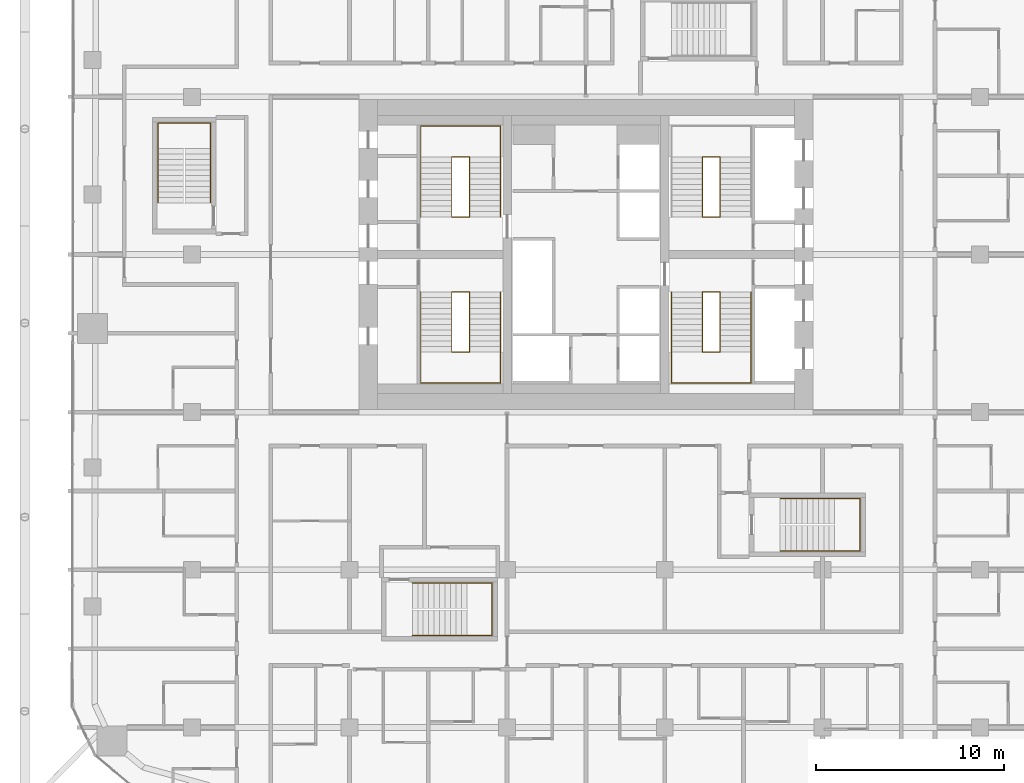
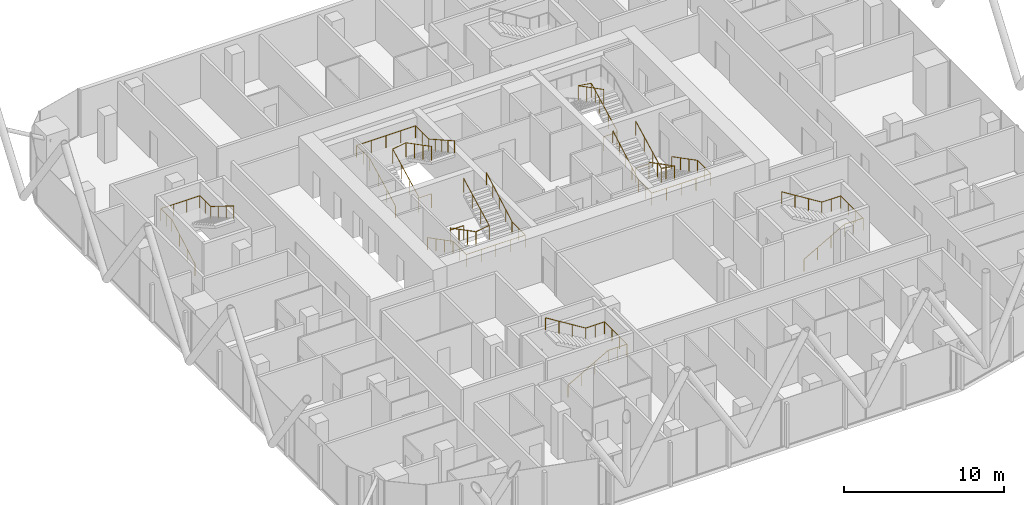
# One storey, part 32 of 33: 10 railings.
"""IFC4 building model written with IfcOpenShell, lengths in metres."""

from ifc_helpers import new_model, si_unit, direction, frame, origin, origin_2d, place, context, subcontext, project, spatial, circle, extrude, material, type_object, element, save


model = new_model("IFC4")

# Units and contexts
model_context = context("Model", 3, precision=1e-05, world=origin(), true_north=direction((0.0, 1.0)))
body_context = subcontext(model_context, "Body", "Model", "MODEL_VIEW")
ifc_project = project(units=[si_unit("LENGTHUNIT", "METRE"), si_unit("AREAUNIT", "SQUARE_METRE"), si_unit("VOLUMEUNIT", "CUBIC_METRE"), si_unit("PLANEANGLEUNIT", "RADIAN"), si_unit("MASSUNIT", "GRAM", prefix="KILO")], contexts=[model_context])

# Site, building, storey
site_placement = place(None, origin())
site = spatial("IfcSite", under=ifc_project, at=site_placement, CompositionType="ELEMENT")
building_placement = place(site_placement, origin())
building = spatial("IfcBuilding", under=site, at=building_placement, Name="Marenta Gate Hotel Tower", CompositionType="ELEMENT")
storey_placement = place(building_placement, frame((0.0, 0.0, 108.5)))
storey = spatial("IfcBuildingStorey", under=building, at=storey_placement, Name="L23", CompositionType="ELEMENT", Elevation=108.5)

# Railings
ifc_material_1 = material(Name="Stainless steel", Category="steel")
railing_type_1 = type_object("IfcRailingType", Name="Core stair handrail 950", PredefinedType="HANDRAIL", material=ifc_material_1)
railing_1_placement = place(storey_placement, frame((-8.800048828125, 6.39990234375, 0.14990234375)))
element("IfcRailing", 1, at=railing_1_placement, inside=storey, type_object=railing_type_1, Name="HR-950 L23-KR-ST1-1", PredefinedType="HANDRAIL", context=body_context, shape_type="SweptSolid", body=[
    extrude(circle(Radius=0.02392578125, at=origin_2d()), frame((0.0, 0.0, 0.92578125), z_axis=(0.0, -0.888197555067, 0.459461753765), x_axis=(1.0, 0.0, 0.0)), (0.0, 0.0, 1.0), 3.591552734375),
    extrude(circle(Radius=0.02392578125, at=origin_2d()), frame((0.0, -3.18994140625, 2.576171875), z_axis=(0.0, -1.0, 0.0), x_axis=(1.0, 0.0, 0.0)), (0.0, 0.0, 1.0), 1.659912109375),
    extrude(circle(Radius=0.02392578125, at=origin_2d()), frame((0.0, -4.849853515625, 2.576171875), z_axis=(1.0, 0.0, 0.0), x_axis=(0.0, 1.0, 0.0)), (0.0, 0.0, 1.0), 4.25),
    extrude(circle(Radius=0.02392578125, at=origin_2d()), frame((4.25, -4.849853515625, 2.576171875), z_axis=(0.0, 1.0, 0.0), x_axis=(-1.0, 0.0, 0.0)), (0.0, 0.0, 1.0), 1.659912109375),
    extrude(circle(Radius=0.02392578125, at=origin_2d()), frame((4.25, -3.18994140625, 2.576171875), z_axis=(0.0, 0.87090897868, 0.491444351738), x_axis=(-1.0, 0.0, 0.0)), (0.0, 0.0, 1.0), 3.662841796875),
    extrude(circle(Radius=0.02099609375, at=origin_2d()), origin(), (0.0, 0.0, 1.0), 0.90185546875),
    extrude(circle(Radius=0.02099609375, at=origin_2d()), frame((0.0, -1.063232421875, 0.550048828125)), (0.0, 0.0, 1.0), 0.90185546875),
    extrude(circle(Radius=0.02099609375, at=origin_2d()), frame((0.0, -2.126708984375, 1.10009765625)), (0.0, 0.0, 1.0), 0.90185546875),
    extrude(circle(Radius=0.02099609375, at=origin_2d()), frame((0.0, -3.18994140625, 1.650146484375)), (0.0, 0.0, 1.0), 0.90185546875),
    extrude(circle(Radius=0.02099609375, at=origin_2d()), frame((0.0, -4.02001953125, 1.650146484375)), (0.0, 0.0, 1.0), 0.90185546875),
    extrude(circle(Radius=0.02099609375, at=origin_2d()), frame((0.0, -4.849853515625, 1.650146484375)), (0.0, 0.0, 1.0), 0.90185546875),
    extrude(circle(Radius=0.02099609375, at=origin_2d()), frame((1.0625, -4.849853515625, 1.650146484375)), (0.0, 0.0, 1.0), 0.90185546875),
    extrude(circle(Radius=0.02099609375, at=origin_2d()), frame((2.125, -4.849853515625, 1.650146484375)), (0.0, 0.0, 1.0), 0.90185546875),
    extrude(circle(Radius=0.02099609375, at=origin_2d()), frame((3.1875, -4.849853515625, 1.650146484375)), (0.0, 0.0, 1.0), 0.90185546875),
    extrude(circle(Radius=0.02099609375, at=origin_2d()), frame((4.25, -4.849853515625, 1.650146484375)), (0.0, 0.0, 1.0), 0.90185546875),
    extrude(circle(Radius=0.02099609375, at=origin_2d()), frame((4.25, -4.02001953125, 1.650146484375)), (0.0, 0.0, 1.0), 0.90185546875),
    extrude(circle(Radius=0.02099609375, at=origin_2d()), frame((4.25, -3.18994140625, 1.650146484375)), (0.0, 0.0, 1.0), 0.90185546875),
    extrude(circle(Radius=0.02099609375, at=origin_2d()), frame((4.25, -2.392578125, 2.10009765625)), (0.0, 0.0, 1.0), 0.90185546875),
    extrude(circle(Radius=0.02099609375, at=origin_2d()), frame((4.25, -1.594970703125, 2.55029296875)), (0.0, 0.0, 1.0), 0.90185546875),
    extrude(circle(Radius=0.02099609375, at=origin_2d()), frame((4.25, -0.79736328125, 3.000244140625)), (0.0, 0.0, 1.0), 0.90185546875),
    extrude(circle(Radius=0.02099609375, at=origin_2d()), frame((4.25, 0.0, 3.4501953125)), (0.0, 0.0, 1.0), 0.90185546875),
])
railing_2_placement = place(storey_placement, frame((-8.800048828125, 10.39990234375, 0.14990234375)))
element("IfcRailing", 2, at=railing_2_placement, inside=storey, type_object=railing_type_1, Name="HR-950 L23-KR-ST2-1", PredefinedType="HANDRAIL", context=body_context, shape_type="SweptSolid", body=[
    extrude(circle(Radius=0.02392578125, at=origin_2d()), frame((0.0, 0.0, 0.92578125), z_axis=(0.0, 0.888211904222, 0.459434013977), x_axis=(-1.0, 0.0, 0.0)), (0.0, 0.0, 1.0), 3.591796875),
    extrude(circle(Radius=0.02392578125, at=origin_2d()), frame((0.0, 3.190185546875, 2.576171875), z_axis=(0.0, 1.0, 0.0), x_axis=(-1.0, 0.0, 0.0)), (0.0, 0.0, 1.0), 1.659912109375),
    extrude(circle(Radius=0.02392578125, at=origin_2d()), frame((0.0, 4.85009765625, 2.576171875), z_axis=(1.0, 0.0, 0.0), x_axis=(0.0, 1.0, 0.0)), (0.0, 0.0, 1.0), 4.25),
    extrude(circle(Radius=0.02392578125, at=origin_2d()), frame((4.25, 4.85009765625, 2.576171875), z_axis=(0.0, -1.0, 0.0), x_axis=(1.0, 0.0, 0.0)), (0.0, 0.0, 1.0), 1.659912109375),
    extrude(circle(Radius=0.02392578125, at=origin_2d()), frame((4.25, 3.190185546875, 2.576171875), z_axis=(0.0, -0.870925075533, 0.491415824742), x_axis=(1.0, 0.0, 0.0)), (0.0, 0.0, 1.0), 3.6630859375),
    extrude(circle(Radius=0.02099609375, at=origin_2d()), origin(), (0.0, 0.0, 1.0), 0.90185546875),
    extrude(circle(Radius=0.02099609375, at=origin_2d()), frame((0.0, 1.0634765625, 0.550048828125)), (0.0, 0.0, 1.0), 0.90185546875),
    extrude(circle(Radius=0.02099609375, at=origin_2d()), frame((0.0, 2.126708984375, 1.10009765625)), (0.0, 0.0, 1.0), 0.90185546875),
    extrude(circle(Radius=0.02099609375, at=origin_2d()), frame((0.0, 3.190185546875, 1.650146484375)), (0.0, 0.0, 1.0), 0.90185546875),
    extrude(circle(Radius=0.02099609375, at=origin_2d()), frame((0.0, 4.02001953125, 1.650146484375)), (0.0, 0.0, 1.0), 0.90185546875),
    extrude(circle(Radius=0.02099609375, at=origin_2d()), frame((0.0, 4.85009765625, 1.650146484375)), (0.0, 0.0, 1.0), 0.90185546875),
    extrude(circle(Radius=0.02099609375, at=origin_2d()), frame((1.0625, 4.85009765625, 1.650146484375)), (0.0, 0.0, 1.0), 0.90185546875),
    extrude(circle(Radius=0.02099609375, at=origin_2d()), frame((2.125, 4.85009765625, 1.650146484375)), (0.0, 0.0, 1.0), 0.90185546875),
    extrude(circle(Radius=0.02099609375, at=origin_2d()), frame((3.1875, 4.85009765625, 1.650146484375)), (0.0, 0.0, 1.0), 0.90185546875),
    extrude(circle(Radius=0.02099609375, at=origin_2d()), frame((4.25, 4.85009765625, 1.650146484375)), (0.0, 0.0, 1.0), 0.90185546875),
    extrude(circle(Radius=0.02099609375, at=origin_2d()), frame((4.25, 4.02001953125, 1.650146484375)), (0.0, 0.0, 1.0), 0.90185546875),
    extrude(circle(Radius=0.02099609375, at=origin_2d()), frame((4.25, 3.190185546875, 1.650146484375)), (0.0, 0.0, 1.0), 0.90185546875),
    extrude(circle(Radius=0.02099609375, at=origin_2d()), frame((4.25, 2.392578125, 2.10009765625)), (0.0, 0.0, 1.0), 0.90185546875),
    extrude(circle(Radius=0.02099609375, at=origin_2d()), frame((4.25, 1.59521484375, 2.55029296875)), (0.0, 0.0, 1.0), 0.90185546875),
    extrude(circle(Radius=0.02099609375, at=origin_2d()), frame((4.25, 0.797607421875, 3.000244140625)), (0.0, 0.0, 1.0), 0.90185546875),
    extrude(circle(Radius=0.02099609375, at=origin_2d()), frame((4.25, 0.0, 3.4501953125)), (0.0, 0.0, 1.0), 0.90185546875),
])
railing_3_placement = place(storey_placement, frame((8.800048828125, 6.39990234375, 0.14990234375)))
element("IfcRailing", 3, at=railing_3_placement, inside=storey, type_object=railing_type_1, Name="HR-950 L23-KR-ST3-1", PredefinedType="HANDRAIL", context=body_context, shape_type="SweptSolid", body=[
    extrude(circle(Radius=0.02392578125, at=origin_2d()), frame((0.0, 0.0, 0.92578125), z_axis=(0.0, -0.888197555067, 0.459461753765), x_axis=(1.0, 0.0, 0.0)), (0.0, 0.0, 1.0), 3.591552734375),
    extrude(circle(Radius=0.02392578125, at=origin_2d()), frame((0.0, -3.18994140625, 2.576171875), z_axis=(0.0, -1.0, 0.0), x_axis=(1.0, 0.0, 0.0)), (0.0, 0.0, 1.0), 1.659912109375),
    extrude(circle(Radius=0.02392578125, at=origin_2d()), frame((0.0, -4.849853515625, 2.576171875), z_axis=(-1.0, 0.0, 0.0), x_axis=(0.0, -1.0, 0.0)), (0.0, 0.0, 1.0), 4.25),
    extrude(circle(Radius=0.02392578125, at=origin_2d()), frame((-4.25, -4.849853515625, 2.576171875), z_axis=(0.0, 1.0, 0.0), x_axis=(-1.0, 0.0, 0.0)), (0.0, 0.0, 1.0), 1.659912109375),
    extrude(circle(Radius=0.02392578125, at=origin_2d()), frame((-4.25, -3.18994140625, 2.576171875), z_axis=(0.0, 0.87090897868, 0.491444351738), x_axis=(-1.0, 0.0, 0.0)), (0.0, 0.0, 1.0), 3.662841796875),
    extrude(circle(Radius=0.02099609375, at=origin_2d()), origin(), (0.0, 0.0, 1.0), 0.90185546875),
    extrude(circle(Radius=0.02099609375, at=origin_2d()), frame((0.0, -1.063232421875, 0.550048828125)), (0.0, 0.0, 1.0), 0.90185546875),
    extrude(circle(Radius=0.02099609375, at=origin_2d()), frame((0.0, -2.126708984375, 1.10009765625)), (0.0, 0.0, 1.0), 0.90185546875),
    extrude(circle(Radius=0.02099609375, at=origin_2d()), frame((0.0, -3.18994140625, 1.650146484375)), (0.0, 0.0, 1.0), 0.90185546875),
    extrude(circle(Radius=0.02099609375, at=origin_2d()), frame((0.0, -4.02001953125, 1.650146484375)), (0.0, 0.0, 1.0), 0.90185546875),
    extrude(circle(Radius=0.02099609375, at=origin_2d()), frame((0.0, -4.849853515625, 1.650146484375)), (0.0, 0.0, 1.0), 0.90185546875),
    extrude(circle(Radius=0.02099609375, at=origin_2d()), frame((-1.0625, -4.849853515625, 1.650146484375)), (0.0, 0.0, 1.0), 0.90185546875),
    extrude(circle(Radius=0.02099609375, at=origin_2d()), frame((-2.125, -4.849853515625, 1.650146484375)), (0.0, 0.0, 1.0), 0.90185546875),
    extrude(circle(Radius=0.02099609375, at=origin_2d()), frame((-3.1875, -4.849853515625, 1.650146484375)), (0.0, 0.0, 1.0), 0.90185546875),
    extrude(circle(Radius=0.02099609375, at=origin_2d()), frame((-4.25, -4.849853515625, 1.650146484375)), (0.0, 0.0, 1.0), 0.90185546875),
    extrude(circle(Radius=0.02099609375, at=origin_2d()), frame((-4.25, -4.02001953125, 1.650146484375)), (0.0, 0.0, 1.0), 0.90185546875),
    extrude(circle(Radius=0.02099609375, at=origin_2d()), frame((-4.25, -3.18994140625, 1.650146484375)), (0.0, 0.0, 1.0), 0.90185546875),
    extrude(circle(Radius=0.02099609375, at=origin_2d()), frame((-4.25, -2.392578125, 2.10009765625)), (0.0, 0.0, 1.0), 0.90185546875),
    extrude(circle(Radius=0.02099609375, at=origin_2d()), frame((-4.25, -1.594970703125, 2.55029296875)), (0.0, 0.0, 1.0), 0.90185546875),
    extrude(circle(Radius=0.02099609375, at=origin_2d()), frame((-4.25, -0.79736328125, 3.000244140625)), (0.0, 0.0, 1.0), 0.90185546875),
    extrude(circle(Radius=0.02099609375, at=origin_2d()), frame((-4.25, 0.0, 3.4501953125)), (0.0, 0.0, 1.0), 0.90185546875),
])
railing_4_placement = place(storey_placement, frame((-22.800048828125, 11.14990234375, 0.16357421875)))
element("IfcRailing", 4, at=railing_4_placement, inside=storey, type_object=railing_type_1, Name="HR-950 L23-RS-Z1-3-KR-1", PredefinedType="HANDRAIL", context=body_context, shape_type="SweptSolid", body=[
    extrude(circle(Radius=0.02392578125, at=origin_2d()), frame((0.0, 0.0, 0.92578125), z_axis=(0.0, 0.870914908162, 0.491433843708), x_axis=(-1.0, 0.0, 0.0)), (0.0, 0.0, 1.0), 3.330078125),
    extrude(circle(Radius=0.02392578125, at=origin_2d()), frame((0.0, 2.900146484375, 2.5625), z_axis=(0.0, 1.0, 0.0), x_axis=(-1.0, 0.0, 0.0)), (0.0, 0.0, 1.0), 1.349853515625),
    extrude(circle(Radius=0.02392578125, at=origin_2d()), frame((0.0, 4.25, 2.5625), z_axis=(1.0, 0.0, 0.0), x_axis=(0.0, 1.0, 0.0)), (0.0, 0.0, 1.0), 2.800048828125),
    extrude(circle(Radius=0.02392578125, at=origin_2d()), frame((2.800048828125, 4.25, 2.5625), z_axis=(0.0, -1.0, 0.0), x_axis=(1.0, 0.0, 0.0)), (0.0, 0.0, 1.0), 1.349853515625),
    extrude(circle(Radius=0.02392578125, at=origin_2d()), frame((2.800048828125, 2.900146484375, 2.5625), z_axis=(0.0, -0.849645691689, 0.527353959494), x_axis=(1.0, 0.0, 0.0)), (0.0, 0.0, 1.0), 3.413330078125),
    extrude(circle(Radius=0.02099609375, at=origin_2d()), origin(), (0.0, 0.0, 1.0), 0.90185546875),
    extrude(circle(Radius=0.02099609375, at=origin_2d()), frame((0.0, 0.966796875, 0.54541015625)), (0.0, 0.0, 1.0), 0.90185546875),
    extrude(circle(Radius=0.02099609375, at=origin_2d()), frame((0.0, 1.933349609375, 1.091064453125)), (0.0, 0.0, 1.0), 0.90185546875),
    extrude(circle(Radius=0.02099609375, at=origin_2d()), frame((0.0, 2.900146484375, 1.636474609375)), (0.0, 0.0, 1.0), 0.90185546875),
    extrude(circle(Radius=0.02099609375, at=origin_2d()), frame((0.0, 3.5751953125, 1.636474609375)), (0.0, 0.0, 1.0), 0.90185546875),
    extrude(circle(Radius=0.02099609375, at=origin_2d()), frame((0.0, 4.25, 1.636474609375)), (0.0, 0.0, 1.0), 0.90185546875),
    extrude(circle(Radius=0.02099609375, at=origin_2d()), frame((0.933349609375, 4.25, 1.636474609375)), (0.0, 0.0, 1.0), 0.90185546875),
    extrude(circle(Radius=0.02099609375, at=origin_2d()), frame((1.86669921875, 4.25, 1.636474609375)), (0.0, 0.0, 1.0), 0.90185546875),
    extrude(circle(Radius=0.02099609375, at=origin_2d()), frame((2.800048828125, 4.25, 1.636474609375)), (0.0, 0.0, 1.0), 0.90185546875),
    extrude(circle(Radius=0.02099609375, at=origin_2d()), frame((2.800048828125, 3.5751953125, 1.636474609375)), (0.0, 0.0, 1.0), 0.90185546875),
    extrude(circle(Radius=0.02099609375, at=origin_2d()), frame((2.800048828125, 2.900146484375, 1.636474609375)), (0.0, 0.0, 1.0), 0.90185546875),
    extrude(circle(Radius=0.02099609375, at=origin_2d()), frame((2.800048828125, 1.933349609375, 2.236572265625)), (0.0, 0.0, 1.0), 0.90185546875),
    extrude(circle(Radius=0.02099609375, at=origin_2d()), frame((2.800048828125, 0.966796875, 2.83642578125)), (0.0, 0.0, 1.0), 0.90185546875),
    extrude(circle(Radius=0.02099609375, at=origin_2d()), frame((2.800048828125, 0.0, 3.4365234375)), (0.0, 0.0, 1.0), 0.90185546875),
])
railing_5_placement = place(storey_placement, frame((-9.25, -11.89990234375, 0.16357421875)))
element("IfcRailing", 5, at=railing_5_placement, inside=storey, type_object=railing_type_1, Name="HR-950 L23-RS-Z2-1-KR-1", PredefinedType="HANDRAIL", context=body_context, shape_type="SweptSolid", body=[
    extrude(circle(Radius=0.02392578125, at=origin_2d()), frame((0.0, 0.0, 0.92578125), z_axis=(0.870897200241, 0.0, 0.491465224214), x_axis=(0.0, 1.0, 0.0)), (0.0, 0.0, 1.0), 3.329833984375),
    extrude(circle(Radius=0.02392578125, at=origin_2d()), frame((2.89990234375, 0.0, 2.5625), z_axis=(1.0, 0.0, 0.0), x_axis=(0.0, 1.0, 0.0)), (0.0, 0.0, 1.0), 1.35009765625),
    extrude(circle(Radius=0.02392578125, at=origin_2d()), frame((4.25, 0.0, 2.5625), z_axis=(0.0, 1.0, 0.0), x_axis=(-1.0, 0.0, 0.0)), (0.0, 0.0, 1.0), 2.7998046875),
    extrude(circle(Radius=0.02392578125, at=origin_2d()), frame((4.25, 2.7998046875, 2.5625), z_axis=(-1.0, 0.0, 0.0), x_axis=(0.0, -1.0, 0.0)), (0.0, 0.0, 1.0), 1.35009765625),
    extrude(circle(Radius=0.02392578125, at=origin_2d()), frame((2.89990234375, 2.7998046875, 2.5625), z_axis=(-0.849625798611, 0.0, 0.527386008853), x_axis=(0.0, -1.0, 0.0)), (0.0, 0.0, 1.0), 3.4130859375),
    extrude(circle(Radius=0.02099609375, at=origin_2d()), origin(), (0.0, 0.0, 1.0), 0.90185546875),
    extrude(circle(Radius=0.02099609375, at=origin_2d()), frame((0.966552734375, 0.0, 0.54541015625)), (0.0, 0.0, 1.0), 0.90185546875),
    extrude(circle(Radius=0.02099609375, at=origin_2d()), frame((1.933349609375, 0.0, 1.091064453125)), (0.0, 0.0, 1.0), 0.90185546875),
    extrude(circle(Radius=0.02099609375, at=origin_2d()), frame((2.89990234375, 0.0, 1.636474609375)), (0.0, 0.0, 1.0), 0.90185546875),
    extrude(circle(Radius=0.02099609375, at=origin_2d()), frame((3.574951171875, 0.0, 1.636474609375)), (0.0, 0.0, 1.0), 0.90185546875),
    extrude(circle(Radius=0.02099609375, at=origin_2d()), frame((4.25, 0.0, 1.636474609375)), (0.0, 0.0, 1.0), 0.90185546875),
    extrude(circle(Radius=0.02099609375, at=origin_2d()), frame((4.25, 0.933349609375, 1.636474609375)), (0.0, 0.0, 1.0), 0.90185546875),
    extrude(circle(Radius=0.02099609375, at=origin_2d()), frame((4.25, 1.866455078125, 1.636474609375)), (0.0, 0.0, 1.0), 0.90185546875),
    extrude(circle(Radius=0.02099609375, at=origin_2d()), frame((4.25, 2.7998046875, 1.636474609375)), (0.0, 0.0, 1.0), 0.90185546875),
    extrude(circle(Radius=0.02099609375, at=origin_2d()), frame((3.574951171875, 2.7998046875, 1.636474609375)), (0.0, 0.0, 1.0), 0.90185546875),
    extrude(circle(Radius=0.02099609375, at=origin_2d()), frame((2.89990234375, 2.7998046875, 1.636474609375)), (0.0, 0.0, 1.0), 0.90185546875),
    extrude(circle(Radius=0.02099609375, at=origin_2d()), frame((1.933349609375, 2.7998046875, 2.236572265625)), (0.0, 0.0, 1.0), 0.90185546875),
    extrude(circle(Radius=0.02099609375, at=origin_2d()), frame((0.966552734375, 2.7998046875, 2.83642578125)), (0.0, 0.0, 1.0), 0.90185546875),
    extrude(circle(Radius=0.02099609375, at=origin_2d()), frame((0.0, 2.7998046875, 3.4365234375)), (0.0, 0.0, 1.0), 0.90185546875),
])
railing_6_placement = place(storey_placement, frame((10.35009765625, -7.39990234375, 0.16357421875)))
element("IfcRailing", 6, at=railing_6_placement, inside=storey, type_object=railing_type_1, Name="HR-950 L23-RS-Z2-2-KR-1", PredefinedType="HANDRAIL", context=body_context, shape_type="SweptSolid", body=[
    extrude(circle(Radius=0.02392578125, at=origin_2d()), frame((0.0, 0.0, 0.92578125), z_axis=(0.870897200241, 0.0, 0.491465224214), x_axis=(0.0, 1.0, 0.0)), (0.0, 0.0, 1.0), 3.329833984375),
    extrude(circle(Radius=0.02392578125, at=origin_2d()), frame((2.89990234375, 0.0, 2.5625), z_axis=(1.0, 0.0, 0.0), x_axis=(0.0, 1.0, 0.0)), (0.0, 0.0, 1.0), 1.35009765625),
    extrude(circle(Radius=0.02392578125, at=origin_2d()), frame((4.25, 0.0, 2.5625), z_axis=(0.0, 1.0, 0.0), x_axis=(-1.0, 0.0, 0.0)), (0.0, 0.0, 1.0), 2.7998046875),
    extrude(circle(Radius=0.02392578125, at=origin_2d()), frame((4.25, 2.7998046875, 2.5625), z_axis=(-1.0, 0.0, 0.0), x_axis=(0.0, -1.0, 0.0)), (0.0, 0.0, 1.0), 1.35009765625),
    extrude(circle(Radius=0.02392578125, at=origin_2d()), frame((2.89990234375, 2.7998046875, 2.5625), z_axis=(-0.849625798611, 0.0, 0.527386008853), x_axis=(0.0, -1.0, 0.0)), (0.0, 0.0, 1.0), 3.4130859375),
    extrude(circle(Radius=0.02099609375, at=origin_2d()), origin(), (0.0, 0.0, 1.0), 0.90185546875),
    extrude(circle(Radius=0.02099609375, at=origin_2d()), frame((0.966552734375, 0.0, 0.54541015625)), (0.0, 0.0, 1.0), 0.90185546875),
    extrude(circle(Radius=0.02099609375, at=origin_2d()), frame((1.933349609375, 0.0, 1.091064453125)), (0.0, 0.0, 1.0), 0.90185546875),
    extrude(circle(Radius=0.02099609375, at=origin_2d()), frame((2.89990234375, 0.0, 1.636474609375)), (0.0, 0.0, 1.0), 0.90185546875),
    extrude(circle(Radius=0.02099609375, at=origin_2d()), frame((3.574951171875, 0.0, 1.636474609375)), (0.0, 0.0, 1.0), 0.90185546875),
    extrude(circle(Radius=0.02099609375, at=origin_2d()), frame((4.25, 0.0, 1.636474609375)), (0.0, 0.0, 1.0), 0.90185546875),
    extrude(circle(Radius=0.02099609375, at=origin_2d()), frame((4.25, 0.933349609375, 1.636474609375)), (0.0, 0.0, 1.0), 0.90185546875),
    extrude(circle(Radius=0.02099609375, at=origin_2d()), frame((4.25, 1.866455078125, 1.636474609375)), (0.0, 0.0, 1.0), 0.90185546875),
    extrude(circle(Radius=0.02099609375, at=origin_2d()), frame((4.25, 2.7998046875, 1.636474609375)), (0.0, 0.0, 1.0), 0.90185546875),
    extrude(circle(Radius=0.02099609375, at=origin_2d()), frame((3.574951171875, 2.7998046875, 1.636474609375)), (0.0, 0.0, 1.0), 0.90185546875),
    extrude(circle(Radius=0.02099609375, at=origin_2d()), frame((2.89990234375, 2.7998046875, 1.636474609375)), (0.0, 0.0, 1.0), 0.90185546875),
    extrude(circle(Radius=0.02099609375, at=origin_2d()), frame((1.933349609375, 2.7998046875, 2.236572265625)), (0.0, 0.0, 1.0), 0.90185546875),
    extrude(circle(Radius=0.02099609375, at=origin_2d()), frame((0.966552734375, 2.7998046875, 2.83642578125)), (0.0, 0.0, 1.0), 0.90185546875),
    extrude(circle(Radius=0.02099609375, at=origin_2d()), frame((0.0, 2.7998046875, 3.4365234375)), (0.0, 0.0, 1.0), 0.90185546875),
])
ifc_material_2 = material(Name="Stainless steel", Category="steel")
railing_type_2 = type_object("IfcRailingType", Name="Core stair well guard 1100", PredefinedType="GUARDRAIL", material=ifc_material_2)
railing_7_placement = place(storey_placement, frame((-6.199951171875, 6.39990234375, 0.0)))
element("IfcRailing", 7, at=railing_7_placement, inside=storey, type_object=railing_type_2, Name="GR-1100 L23-KR-ST1-2", PredefinedType="GUARDRAIL", context=body_context, shape_type="SweptSolid", body=[
    extrude(circle(Radius=0.02392578125, at=origin_2d()), frame((0.0, 0.0, 1.076171875), z_axis=(-1.0, 0.0, 0.0), x_axis=(0.0, -1.0, 0.0)), (0.0, 0.0, 1.0), 0.949951171875),
    extrude(circle(Radius=0.02392578125, at=origin_2d()), frame((-0.949951171875, 0.0, 1.076171875), z_axis=(0.0, 0.0, 1.0), x_axis=(1.0, 0.0, 0.0)), (0.0, 0.0, 1.0), 0.14990234375),
    extrude(circle(Radius=0.02392578125, at=origin_2d()), frame((-0.949951171875, 0.0, 1.22607421875), z_axis=(0.0, -0.888197555067, 0.459461753765), x_axis=(1.0, 0.0, 0.0)), (0.0, 0.0, 1.0), 3.591552734375),
    extrude(circle(Radius=0.02392578125, at=origin_2d()), frame((-0.949951171875, -3.18994140625, 2.8759765625), z_axis=(0.987777369502, 0.0, 0.15587131968), x_axis=(0.0, 1.0, 0.0)), (0.0, 0.0, 1.0), 0.961669921875),
    extrude(circle(Radius=0.02392578125, at=origin_2d()), frame((0.0, -3.18994140625, 3.02587890625), z_axis=(0.0, 0.888197555067, 0.459461753765), x_axis=(-1.0, 0.0, 0.0)), (0.0, 0.0, 1.0), 3.591552734375),
    extrude(circle(Radius=0.02099609375, at=origin_2d()), origin(), (0.0, 0.0, 1.0), 1.052001953125),
    extrude(circle(Radius=0.02099609375, at=origin_2d()), frame((-0.949951171875, 0.0, 0.0)), (0.0, 0.0, 1.0), 1.052001953125),
    extrude(circle(Radius=0.02099609375, at=origin_2d()), frame((-0.949951171875, 0.0, 0.14990234375)), (0.0, 0.0, 1.0), 1.052001953125),
    extrude(circle(Radius=0.02099609375, at=origin_2d()), frame((-0.949951171875, -1.063232421875, 0.699951171875)), (0.0, 0.0, 1.0), 1.052001953125),
    extrude(circle(Radius=0.02099609375, at=origin_2d()), frame((-0.949951171875, -2.126708984375, 1.25)), (0.0, 0.0, 1.0), 1.052001953125),
    extrude(circle(Radius=0.02099609375, at=origin_2d()), frame((-0.949951171875, -3.18994140625, 1.800048828125)), (0.0, 0.0, 1.0), 1.052001953125),
    extrude(circle(Radius=0.02099609375, at=origin_2d()), frame((0.0, -3.18994140625, 1.949951171875)), (0.0, 0.0, 1.0), 1.052001953125),
    extrude(circle(Radius=0.02099609375, at=origin_2d()), frame((0.0, -2.126708984375, 2.5)), (0.0, 0.0, 1.0), 1.052001953125),
    extrude(circle(Radius=0.02099609375, at=origin_2d()), frame((0.0, -1.063232421875, 3.050048828125)), (0.0, 0.0, 1.0), 1.052001953125),
    extrude(circle(Radius=0.02099609375, at=origin_2d()), frame((0.0, 0.0, 3.60009765625)), (0.0, 0.0, 1.0), 1.052001953125),
])
railing_8_placement = place(storey_placement, frame((-6.199951171875, 10.39990234375, 0.0)))
element("IfcRailing", 8, at=railing_8_placement, inside=storey, type_object=railing_type_2, Name="GR-1100 L23-KR-ST2-2", PredefinedType="GUARDRAIL", context=body_context, shape_type="SweptSolid", body=[
    extrude(circle(Radius=0.02392578125, at=origin_2d()), frame((0.0, 0.0, 1.076171875), z_axis=(-1.0, 0.0, 0.0), x_axis=(0.0, -1.0, 0.0)), (0.0, 0.0, 1.0), 0.949951171875),
    extrude(circle(Radius=0.02392578125, at=origin_2d()), frame((-0.949951171875, 0.0, 1.076171875), z_axis=(0.0, 0.0, 1.0), x_axis=(1.0, 0.0, 0.0)), (0.0, 0.0, 1.0), 0.14990234375),
    extrude(circle(Radius=0.02392578125, at=origin_2d()), frame((-0.949951171875, 0.0, 1.22607421875), z_axis=(0.0, 0.888211904222, 0.459434013977), x_axis=(-1.0, 0.0, 0.0)), (0.0, 0.0, 1.0), 3.591796875),
    extrude(circle(Radius=0.02392578125, at=origin_2d()), frame((-0.949951171875, 3.190185546875, 2.8759765625), z_axis=(0.987777369502, 0.0, 0.15587131968), x_axis=(0.0, 1.0, 0.0)), (0.0, 0.0, 1.0), 0.961669921875),
    extrude(circle(Radius=0.02392578125, at=origin_2d()), frame((0.0, 3.190185546875, 3.02587890625), z_axis=(0.0, -0.888211904222, 0.459434013977), x_axis=(1.0, 0.0, 0.0)), (0.0, 0.0, 1.0), 3.591796875),
    extrude(circle(Radius=0.02099609375, at=origin_2d()), origin(), (0.0, 0.0, 1.0), 1.052001953125),
    extrude(circle(Radius=0.02099609375, at=origin_2d()), frame((-0.949951171875, 0.0, 0.0)), (0.0, 0.0, 1.0), 1.052001953125),
    extrude(circle(Radius=0.02099609375, at=origin_2d()), frame((-0.949951171875, 0.0, 0.14990234375)), (0.0, 0.0, 1.0), 1.052001953125),
    extrude(circle(Radius=0.02099609375, at=origin_2d()), frame((-0.949951171875, 1.0634765625, 0.699951171875)), (0.0, 0.0, 1.0), 1.052001953125),
    extrude(circle(Radius=0.02099609375, at=origin_2d()), frame((-0.949951171875, 2.126708984375, 1.25)), (0.0, 0.0, 1.0), 1.052001953125),
    extrude(circle(Radius=0.02099609375, at=origin_2d()), frame((-0.949951171875, 3.190185546875, 1.800048828125)), (0.0, 0.0, 1.0), 1.052001953125),
    extrude(circle(Radius=0.02099609375, at=origin_2d()), frame((0.0, 3.190185546875, 1.949951171875)), (0.0, 0.0, 1.0), 1.052001953125),
    extrude(circle(Radius=0.02099609375, at=origin_2d()), frame((0.0, 2.126708984375, 2.5)), (0.0, 0.0, 1.0), 1.052001953125),
    extrude(circle(Radius=0.02099609375, at=origin_2d()), frame((0.0, 1.0634765625, 3.050048828125)), (0.0, 0.0, 1.0), 1.052001953125),
    extrude(circle(Radius=0.02099609375, at=origin_2d()), frame((0.0, 0.0, 3.60009765625)), (0.0, 0.0, 1.0), 1.052001953125),
])
railing_9_placement = place(storey_placement, frame((6.199951171875, 6.39990234375, 0.0)))
element("IfcRailing", 9, at=railing_9_placement, inside=storey, type_object=railing_type_2, Name="GR-1100 L23-KR-ST3-2", PredefinedType="GUARDRAIL", context=body_context, shape_type="SweptSolid", body=[
    extrude(circle(Radius=0.02392578125, at=origin_2d()), frame((0.0, 0.0, 1.076171875), z_axis=(1.0, 0.0, 0.0), x_axis=(0.0, 1.0, 0.0)), (0.0, 0.0, 1.0), 0.949951171875),
    extrude(circle(Radius=0.02392578125, at=origin_2d()), frame((0.949951171875, 0.0, 1.076171875), z_axis=(0.0, 0.0, 1.0), x_axis=(1.0, 0.0, 0.0)), (0.0, 0.0, 1.0), 0.14990234375),
    extrude(circle(Radius=0.02392578125, at=origin_2d()), frame((0.949951171875, 0.0, 1.22607421875), z_axis=(0.0, -0.888197555067, 0.459461753765), x_axis=(1.0, 0.0, 0.0)), (0.0, 0.0, 1.0), 3.591552734375),
    extrude(circle(Radius=0.02392578125, at=origin_2d()), frame((0.949951171875, -3.18994140625, 2.8759765625), z_axis=(-0.987777369502, 0.0, 0.15587131968), x_axis=(0.0, -1.0, 0.0)), (0.0, 0.0, 1.0), 0.961669921875),
    extrude(circle(Radius=0.02392578125, at=origin_2d()), frame((0.0, -3.18994140625, 3.02587890625), z_axis=(0.0, 0.888197555067, 0.459461753765), x_axis=(-1.0, 0.0, 0.0)), (0.0, 0.0, 1.0), 3.591552734375),
    extrude(circle(Radius=0.02099609375, at=origin_2d()), origin(), (0.0, 0.0, 1.0), 1.052001953125),
    extrude(circle(Radius=0.02099609375, at=origin_2d()), frame((0.949951171875, 0.0, 0.0)), (0.0, 0.0, 1.0), 1.052001953125),
    extrude(circle(Radius=0.02099609375, at=origin_2d()), frame((0.949951171875, 0.0, 0.14990234375)), (0.0, 0.0, 1.0), 1.052001953125),
    extrude(circle(Radius=0.02099609375, at=origin_2d()), frame((0.949951171875, -1.063232421875, 0.699951171875)), (0.0, 0.0, 1.0), 1.052001953125),
    extrude(circle(Radius=0.02099609375, at=origin_2d()), frame((0.949951171875, -2.126708984375, 1.25)), (0.0, 0.0, 1.0), 1.052001953125),
    extrude(circle(Radius=0.02099609375, at=origin_2d()), frame((0.949951171875, -3.18994140625, 1.800048828125)), (0.0, 0.0, 1.0), 1.052001953125),
    extrude(circle(Radius=0.02099609375, at=origin_2d()), frame((0.0, -3.18994140625, 1.949951171875)), (0.0, 0.0, 1.0), 1.052001953125),
    extrude(circle(Radius=0.02099609375, at=origin_2d()), frame((0.0, -2.126708984375, 2.5)), (0.0, 0.0, 1.0), 1.052001953125),
    extrude(circle(Radius=0.02099609375, at=origin_2d()), frame((0.0, -1.063232421875, 3.050048828125)), (0.0, 0.0, 1.0), 1.052001953125),
    extrude(circle(Radius=0.02099609375, at=origin_2d()), frame((0.0, 0.0, 3.60009765625)), (0.0, 0.0, 1.0), 1.052001953125),
])
railing_10_placement = place(storey_placement, frame((6.199951171875, 10.39990234375, 0.0)))
element("IfcRailing", 10, at=railing_10_placement, inside=storey, type_object=railing_type_2, Name="GR-1100 L23-KR-ST4-2", PredefinedType="GUARDRAIL", context=body_context, shape_type="SweptSolid", body=[
    extrude(circle(Radius=0.02392578125, at=origin_2d()), frame((0.0, 0.0, 1.076171875), z_axis=(1.0, 0.0, 0.0), x_axis=(0.0, 1.0, 0.0)), (0.0, 0.0, 1.0), 0.949951171875),
    extrude(circle(Radius=0.02392578125, at=origin_2d()), frame((0.949951171875, 0.0, 1.076171875), z_axis=(0.0, 0.0, 1.0), x_axis=(1.0, 0.0, 0.0)), (0.0, 0.0, 1.0), 0.14990234375),
    extrude(circle(Radius=0.02392578125, at=origin_2d()), frame((0.949951171875, 0.0, 1.22607421875), z_axis=(0.0, 0.888211904222, 0.459434013977), x_axis=(-1.0, 0.0, 0.0)), (0.0, 0.0, 1.0), 3.591796875),
    extrude(circle(Radius=0.02392578125, at=origin_2d()), frame((0.949951171875, 3.190185546875, 2.8759765625), z_axis=(-0.987777369502, 0.0, 0.15587131968), x_axis=(0.0, -1.0, 0.0)), (0.0, 0.0, 1.0), 0.961669921875),
    extrude(circle(Radius=0.02392578125, at=origin_2d()), frame((0.0, 3.190185546875, 3.02587890625), z_axis=(0.0, -0.888211904222, 0.459434013977), x_axis=(1.0, 0.0, 0.0)), (0.0, 0.0, 1.0), 3.591796875),
    extrude(circle(Radius=0.02099609375, at=origin_2d()), origin(), (0.0, 0.0, 1.0), 1.052001953125),
    extrude(circle(Radius=0.02099609375, at=origin_2d()), frame((0.949951171875, 0.0, 0.0)), (0.0, 0.0, 1.0), 1.052001953125),
    extrude(circle(Radius=0.02099609375, at=origin_2d()), frame((0.949951171875, 0.0, 0.14990234375)), (0.0, 0.0, 1.0), 1.052001953125),
    extrude(circle(Radius=0.02099609375, at=origin_2d()), frame((0.949951171875, 1.0634765625, 0.699951171875)), (0.0, 0.0, 1.0), 1.052001953125),
    extrude(circle(Radius=0.02099609375, at=origin_2d()), frame((0.949951171875, 2.126708984375, 1.25)), (0.0, 0.0, 1.0), 1.052001953125),
    extrude(circle(Radius=0.02099609375, at=origin_2d()), frame((0.949951171875, 3.190185546875, 1.800048828125)), (0.0, 0.0, 1.0), 1.052001953125),
    extrude(circle(Radius=0.02099609375, at=origin_2d()), frame((0.0, 3.190185546875, 1.949951171875)), (0.0, 0.0, 1.0), 1.052001953125),
    extrude(circle(Radius=0.02099609375, at=origin_2d()), frame((0.0, 2.126708984375, 2.5)), (0.0, 0.0, 1.0), 1.052001953125),
    extrude(circle(Radius=0.02099609375, at=origin_2d()), frame((0.0, 1.0634765625, 3.050048828125)), (0.0, 0.0, 1.0), 1.052001953125),
    extrude(circle(Radius=0.02099609375, at=origin_2d()), frame((0.0, 0.0, 3.60009765625)), (0.0, 0.0, 1.0), 1.052001953125),
])

save(model, "model.ifc")
